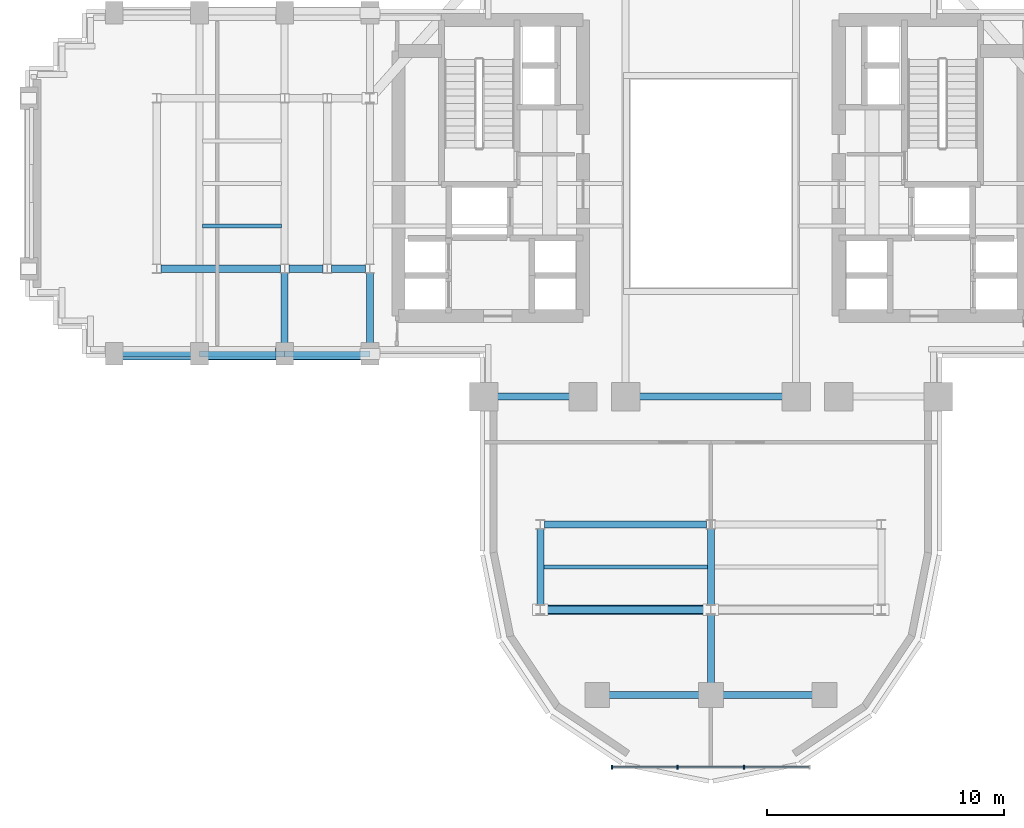
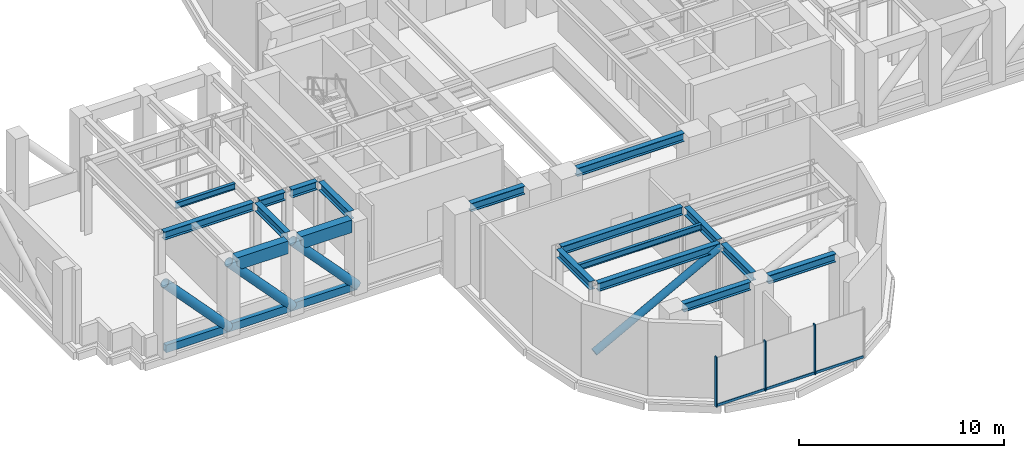
# One storey, part 3 of 15: 18 beams, 13 members, 1 element without a shape of its own.
"""IFC4 building model written with IfcOpenShell, lengths in metres."""

from ifc_helpers import new_model, si_unit, direction, frame, origin, origin_2d, place, context, subcontext, project, spatial, rectangle, hollow_rectangle, hollow_circle, i_section, extrude, source, transform, mapped, material, material_profile, profile_set, type_object, element, aggregate, save


model = new_model("IFC4")

# Units and contexts
model_context = context("Model", 3, precision=1e-05, world=origin(), true_north=direction((0.0, 1.0)))
body_context = subcontext(model_context, "Body", "Model", "MODEL_VIEW")
ifc_project = project(units=[si_unit("LENGTHUNIT", "METRE"), si_unit("AREAUNIT", "SQUARE_METRE"), si_unit("VOLUMEUNIT", "CUBIC_METRE"), si_unit("PLANEANGLEUNIT", "RADIAN"), si_unit("MASSUNIT", "GRAM", prefix="KILO")], contexts=[model_context])

# Site, building, storey
site_placement = place(None, origin())
site = spatial("IfcSite", under=ifc_project, at=site_placement, CompositionType="ELEMENT")
building_placement = place(site_placement, origin())
building = spatial("IfcBuilding", under=site, at=building_placement, Name="Keilestroom Media Tower", CompositionType="ELEMENT")
storey_placement = place(building_placement, frame((0.0, 0.0, 88.39990234375)))
storey = spatial("IfcBuildingStorey", under=building, at=storey_placement, Name="L23", CompositionType="ELEMENT", Elevation=88.39990234375)

# Beams
ifc_material_1 = material(Name="Precast concrete C40/50", Category="concrete")
ifc_material_profile_1 = material_profile(ifc_material_1, rectangle(XDim=0.449951171875, YDim=0.75, at=origin_2d()), Name="PC 450x750")
ifc_profile_set_1 = profile_set([ifc_material_profile_1], Name="Precast concrete C40/50")
beam_type_1 = type_object("IfcBeamType", Name="Perimeter-Spandrel-Beam-PC-450x750", PredefinedType="SPANDREL", material=ifc_profile_set_1)
shared_shape_1 = source(origin(), body_context, "Body", "SweptSolid", [
    extrude(rectangle(XDim=0.449951171875, YDim=0.75, at=origin_2d()), origin(), (0.0, 0.0, 1.0), 2.89013671875),
])
for number, where, z_axis, x_axis, name in (
    (1, (-21.2451171875, -7.199951171875, 4.025146484375), (1.0, 0.0, 0.0), (0.0, 1.0, 0.0), "L23 Beam SPB-1 BM-L23-EW-012"),
    (2, (-17.64501953125, -7.199951171875, 4.025146484375), (1.0, 0.0, 0.0), (0.0, 1.0, 0.0), "L23 Beam SPB-1 BM-L23-EW-013"),
):
    element("IfcBeam", number, at=place(storey_placement, frame(where, z_axis=z_axis, x_axis=x_axis)), inside=storey, type_object=beam_type_1, Name=name, PredefinedType="SPANDREL", context=body_context, shape_type="MappedRepresentation", body=[
        mapped(shared_shape_1, transform((0.0, 0.0, 0.0), x_axis=(1.0, 0.0, 0.0), y_axis=(0.0, 1.0, 0.0), z_axis=(0.0, 0.0, 1.0), scale=1.0)),
    ])
ifc_material_2 = material(Name="Steel S355", Category="steel")
ifc_material_profile_2 = material_profile(ifc_material_2, i_section(OverallWidth=0.300048828125, OverallDepth=0.5, WebThickness=0.012451171875, FlangeThickness=0.028076171875, at=origin_2d()), Name="HEB 500")
ifc_profile_set_2 = profile_set([ifc_material_profile_2], Name="Steel S355")
beam_type_2 = type_object("IfcBeamType", Name="Primary-Structural-Girder-HEB-500", PredefinedType="BEAM", material=ifc_profile_set_2)
shared_shape_2 = source(origin(), body_context, "Body", "SweptSolid", [
    extrude(i_section(OverallWidth=0.300048828125, OverallDepth=0.5, WebThickness=0.012451171875, FlangeThickness=0.028076171875, at=origin_2d()), origin(), (0.0, 0.0, 1.0), 2.961669921875),
])
for number, where, z_axis, x_axis, name in (
    (3, (-18.0, -6.7451171875, 4.150146484375), (0.0, 1.0, 0.0), (-1.0, 0.0, 0.0), "L23 Beam BG-6 BM-L23-NS-045"),
    (4, (-14.39990234375, -6.7451171875, 4.150146484375), (0.0, 1.0, 0.0), (-1.0, 0.0, 0.0), "L23 Beam BG-6 BM-L23-NS-049"),
):
    element("IfcBeam", number, at=place(storey_placement, frame(where, z_axis=z_axis, x_axis=x_axis)), inside=storey, type_object=beam_type_2, Name=name, PredefinedType="BEAM", context=body_context, shape_type="MappedRepresentation", body=[
        mapped(shared_shape_2, transform((0.0, 0.0, 0.0), x_axis=(1.0, 0.0, 0.0), y_axis=(0.0, 1.0, 0.0), z_axis=(0.0, 0.0, 1.0), scale=1.0)),
    ])
shared_shape_3 = source(origin(), body_context, "Body", "SweptSolid", [
    extrude(i_section(OverallWidth=0.300048828125, OverallDepth=0.5, WebThickness=0.012451171875, FlangeThickness=0.028076171875, at=origin_2d()), origin(), (0.0, 0.0, 1.0), 3.23291015625),
])
for number, where, z_axis, x_axis, name in (
    (5, (-7.199951171875, -17.81640625, 4.150146484375), (0.0, 1.0, 0.0), (-1.0, 0.0, 0.0), "L23 Beam BG-6 BM-L23-NS-053"),
    (6, (0.0, -17.81640625, 4.150146484375), (0.0, 1.0, 0.0), (-1.0, 0.0, 0.0), "L23 Beam BG-6 BM-L23-NS-058"),
):
    element("IfcBeam", number, at=place(storey_placement, frame(where, z_axis=z_axis, x_axis=x_axis)), inside=storey, type_object=beam_type_2, Name=name, PredefinedType="BEAM", context=body_context, shape_type="MappedRepresentation", body=[
        mapped(shared_shape_3, transform((0.0, 0.0, 0.0), x_axis=(1.0, 0.0, 0.0), y_axis=(0.0, 1.0, 0.0), z_axis=(0.0, 0.0, 1.0), scale=1.0)),
    ])
shared_shape_4 = source(origin(), body_context, "Body", "SweptSolid", [
    extrude(i_section(OverallWidth=0.300048828125, OverallDepth=0.5, WebThickness=0.012451171875, FlangeThickness=0.028076171875, at=origin_2d()), origin(), (0.0, 0.0, 1.0), 2.911376953125),
])
beam_1_placement = place(storey_placement, frame((0.0, -21.094970703125, 4.150146484375), z_axis=(0.0, 1.0, 0.0), x_axis=(-1.0, 0.0, 0.0)))
element("IfcBeam", 7, at=beam_1_placement, inside=storey, type_object=beam_type_2, Name="L23 Beam BG-6 BM-L23-NS-057", PredefinedType="BEAM", context=body_context, shape_type="MappedRepresentation", body=[
    mapped(shared_shape_4, transform((0.0, 0.0, 0.0), x_axis=(1.0, 0.0, 0.0), y_axis=(0.0, 1.0, 0.0), z_axis=(0.0, 0.0, 1.0), scale=1.0)),
])
ifc_material_profile_3 = material_profile(ifc_material_2, i_section(OverallWidth=0.300048828125, OverallDepth=0.489990234375, WebThickness=0.011962890625, FlangeThickness=0.02294921875, at=origin_2d()), Name="HEA 500")
ifc_profile_set_3 = profile_set([ifc_material_profile_3], Name="Steel S355")
beam_type_3 = type_object("IfcBeamType", Name="Primary-Structural-Girder-HEA-500", PredefinedType="BEAM", material=ifc_profile_set_3)
shared_shape_5 = source(origin(), body_context, "Body", "SweptSolid", [
    extrude(i_section(OverallWidth=0.300048828125, OverallDepth=0.489990234375, WebThickness=0.011962890625, FlangeThickness=0.02294921875, at=origin_2d()), origin(), (0.0, 0.0, 1.0), 3.7900390625),
])
for number, where, z_axis, x_axis, name in (
    (8, (-4.294921875, -21.60009765625, 4.155029296875), (1.0, 0.0, 0.0), (0.0, 1.0, 0.0), "L23 Beam BG-10 BM-L23-EW-001"),
    (9, (0.5048828125, -21.60009765625, 4.155029296875), (1.0, 0.0, 0.0), (0.0, 1.0, 0.0), "L23 Beam BG-10 BM-L23-EW-002"),
):
    element("IfcBeam", number, at=place(storey_placement, frame(where, z_axis=z_axis, x_axis=x_axis)), inside=storey, type_object=beam_type_3, Name=name, PredefinedType="BEAM", context=body_context, shape_type="MappedRepresentation", body=[
        mapped(shared_shape_5, transform((0.0, 0.0, 0.0), x_axis=(1.0, 0.0, 0.0), y_axis=(0.0, 1.0, 0.0), z_axis=(0.0, 0.0, 1.0), scale=1.0)),
    ])
shared_shape_6 = source(origin(), body_context, "Body", "SweptSolid", [
    extrude(i_section(OverallWidth=0.300048828125, OverallDepth=0.489990234375, WebThickness=0.011962890625, FlangeThickness=0.02294921875, at=origin_2d()), origin(), (0.0, 0.0, 1.0), 6.836181640625),
])
for number, where, z_axis, x_axis, name in (
    (10, (-7.01806640625, -18.0, 4.155029296875), (1.0, 0.0, 0.0), (0.0, 1.0, 0.0), "L23 Beam BG-10 BM-L23-EW-003"),
    (11, (-7.01806640625, -14.39990234375, 4.155029296875), (1.0, 0.0, 0.0), (0.0, 1.0, 0.0), "L23 Beam BG-10 BM-L23-EW-005"),
):
    element("IfcBeam", number, at=place(storey_placement, frame(where, z_axis=z_axis, x_axis=x_axis)), inside=storey, type_object=beam_type_3, Name=name, PredefinedType="BEAM", context=body_context, shape_type="MappedRepresentation", body=[
        mapped(shared_shape_6, transform((0.0, 0.0, 0.0), x_axis=(1.0, 0.0, 0.0), y_axis=(0.0, 1.0, 0.0), z_axis=(0.0, 0.0, 1.0), scale=1.0)),
    ])
shared_shape_7 = source(origin(), body_context, "Body", "SweptSolid", [
    extrude(i_section(OverallWidth=0.300048828125, OverallDepth=0.489990234375, WebThickness=0.011962890625, FlangeThickness=0.02294921875, at=origin_2d()), origin(), (0.0, 0.0, 1.0), 3.0400390625),
])
beam_2_placement = place(storey_placement, frame((-9.02001953125, -9.0, 4.155029296875), z_axis=(1.0, 0.0, 0.0), x_axis=(0.0, 1.0, 0.0)))
element("IfcBeam", 12, at=beam_2_placement, inside=storey, type_object=beam_type_3, Name="L23 Beam BG-10 BM-L23-EW-007", PredefinedType="BEAM", context=body_context, shape_type="MappedRepresentation", body=[
    mapped(shared_shape_7, transform((0.0, 0.0, 0.0), x_axis=(1.0, 0.0, 0.0), y_axis=(0.0, 1.0, 0.0), z_axis=(0.0, 0.0, 1.0), scale=1.0)),
])
shared_shape_8 = source(origin(), body_context, "Body", "SweptSolid", [
    extrude(i_section(OverallWidth=0.300048828125, OverallDepth=0.489990234375, WebThickness=0.011962890625, FlangeThickness=0.02294921875, at=origin_2d()), origin(), (0.0, 0.0, 1.0), 6.0400390625),
])
beam_3_placement = place(storey_placement, frame((-3.02001953125, -9.0, 4.155029296875), z_axis=(1.0, 0.0, 0.0), x_axis=(0.0, 1.0, 0.0)))
element("IfcBeam", 13, at=beam_3_placement, inside=storey, type_object=beam_type_3, Name="L23 Beam BG-10 BM-L23-EW-009", PredefinedType="BEAM", context=body_context, shape_type="MappedRepresentation", body=[
    mapped(shared_shape_8, transform((0.0, 0.0, 0.0), x_axis=(1.0, 0.0, 0.0), y_axis=(0.0, 1.0, 0.0), z_axis=(0.0, 0.0, 1.0), scale=1.0)),
])
shared_shape_9 = source(origin(), body_context, "Body", "SweptSolid", [
    extrude(i_section(OverallWidth=0.300048828125, OverallDepth=0.489990234375, WebThickness=0.011962890625, FlangeThickness=0.02294921875, at=origin_2d()), origin(), (0.0, 0.0, 1.0), 5.0361328125),
])
beam_4_placement = place(storey_placement, frame((-23.218017578125, -3.60009765625, 4.155029296875), z_axis=(1.0, 0.0, 0.0), x_axis=(0.0, 1.0, 0.0)))
element("IfcBeam", 14, at=beam_4_placement, inside=storey, type_object=beam_type_3, Name="L23 Beam BG-10 BM-L23-EW-016", PredefinedType="BEAM", context=body_context, shape_type="MappedRepresentation", body=[
    mapped(shared_shape_9, transform((0.0, 0.0, 0.0), x_axis=(1.0, 0.0, 0.0), y_axis=(0.0, 1.0, 0.0), z_axis=(0.0, 0.0, 1.0), scale=1.0)),
])
shared_shape_10 = source(origin(), body_context, "Body", "SweptSolid", [
    extrude(i_section(OverallWidth=0.300048828125, OverallDepth=0.489990234375, WebThickness=0.011962890625, FlangeThickness=0.02294921875, at=origin_2d()), origin(), (0.0, 0.0, 1.0), 1.43603515625),
])
for number, where, z_axis, x_axis, name in (
    (15, (-17.818115234375, -3.60009765625, 4.155029296875), (1.0, 0.0, 0.0), (0.0, 1.0, 0.0), "L23 Beam BG-10 BM-L23-EW-017"),
    (16, (-16.01806640625, -3.60009765625, 4.155029296875), (1.0, 0.0, 0.0), (0.0, 1.0, 0.0), "L23 Beam BG-10 BM-L23-EW-018"),
):
    element("IfcBeam", number, at=place(storey_placement, frame(where, z_axis=z_axis, x_axis=x_axis)), inside=storey, type_object=beam_type_3, Name=name, PredefinedType="BEAM", context=body_context, shape_type="MappedRepresentation", body=[
        mapped(shared_shape_10, transform((0.0, 0.0, 0.0), x_axis=(1.0, 0.0, 0.0), y_axis=(0.0, 1.0, 0.0), z_axis=(0.0, 0.0, 1.0), scale=1.0)),
    ])
ifc_material_profile_4 = material_profile(ifc_material_2, i_section(OverallWidth=0.169921875, OverallDepth=0.360107421875, WebThickness=0.008056640625, FlangeThickness=0.0126953125, at=origin_2d()), Name="IPE 360")
ifc_profile_set_4 = profile_set([ifc_material_profile_4], Name="Steel S355")
beam_type_4 = type_object("IfcBeamType", Name="Secondary-Floor-Joist-IPE-360", PredefinedType="JOIST", material=ifc_profile_set_4)
shared_shape_11 = source(origin(), body_context, "Body", "SweptSolid", [
    extrude(i_section(OverallWidth=0.169921875, OverallDepth=0.360107421875, WebThickness=0.008056640625, FlangeThickness=0.0126953125, at=origin_2d()), origin(), (0.0, 0.0, 1.0), 6.940185546875),
])
beam_5_placement = place(storey_placement, frame((-7.070068359375, -16.199951171875, 4.22021484375), z_axis=(1.0, 0.0, 0.0), x_axis=(0.0, 1.0, 0.0)))
element("IfcBeam", 17, at=beam_5_placement, inside=storey, type_object=beam_type_4, Name="L23 Beam BJ-5 JST-L23-075", PredefinedType="JOIST", context=body_context, shape_type="MappedRepresentation", body=[
    mapped(shared_shape_11, transform((0.0, 0.0, 0.0), x_axis=(1.0, 0.0, 0.0), y_axis=(0.0, 1.0, 0.0), z_axis=(0.0, 0.0, 1.0), scale=1.0)),
])
shared_shape_12 = source(origin(), body_context, "Body", "SweptSolid", [
    extrude(i_section(OverallWidth=0.169921875, OverallDepth=0.360107421875, WebThickness=0.008056640625, FlangeThickness=0.0126953125, at=origin_2d()), origin(), (0.0, 0.0, 1.0), 3.340087890625),
])
beam_6_placement = place(storey_placement, frame((-21.469970703125, -1.800048828125, 4.22021484375), z_axis=(1.0, 0.0, 0.0), x_axis=(0.0, 1.0, 0.0)))
element("IfcBeam", 18, at=beam_6_placement, inside=storey, type_object=beam_type_4, Name="L23 Beam BJ-5 JST-L23-077", PredefinedType="JOIST", context=body_context, shape_type="MappedRepresentation", body=[
    mapped(shared_shape_12, transform((0.0, 0.0, 0.0), x_axis=(1.0, 0.0, 0.0), y_axis=(0.0, 1.0, 0.0), z_axis=(0.0, 0.0, 1.0), scale=1.0)),
])

# Members
ifc_material_3 = material(Name="Steel S460", Category="steel")
ifc_material_profile_5 = material_profile(ifc_material_3, hollow_rectangle(XDim=0.25, YDim=0.449951171875, WallThickness=0.01611328125, at=origin_2d()), Name="RHS 450x250x16")
ifc_profile_set_5 = profile_set([ifc_material_profile_5], Name="Steel S460")
member_type_1 = type_object("IfcMemberType", Name="Transfer-And-Belt-Truss-Chord-RHS-450x250x16", PredefinedType="CHORD", material=ifc_profile_set_5)
shared_shape_13 = source(origin(), body_context, "Body", "SweptSolid", [
    extrude(hollow_rectangle(XDim=0.25, YDim=0.449951171875, WallThickness=0.01611328125, at=origin_2d()), origin(), (0.0, 0.0, 1.0), 3.60009765625),
])
for number, where, z_axis, x_axis, name in (
    (19, (-14.39990234375, -7.199951171875, 0.280029296875), (-1.0, 0.0, 0.0), (0.0, -1.0, 0.0), "L23 Outrigger OT-L23-WS Chord 1"),
    (20, (-18.0, -7.199951171875, 0.280029296875), (-1.0, 0.0, 0.0), (0.0, -1.0, 0.0), "L23 Outrigger OT-L23-WS Chord 2"),
):
    element("IfcMember", number, at=place(storey_placement, frame(where, z_axis=z_axis, x_axis=x_axis)), inside=storey, type_object=member_type_1, Name=name, PredefinedType="CHORD", context=body_context, shape_type="MappedRepresentation", body=[
        mapped(shared_shape_13, transform((0.0, 0.0, 0.0), x_axis=(1.0, 0.0, 0.0), y_axis=(0.0, 1.0, 0.0), z_axis=(0.0, 0.0, 1.0), scale=1.0)),
    ])
ifc_material_profile_6 = material_profile(ifc_material_3, hollow_circle(Radius=0.25390625, WallThickness=0.02001953125, at=origin_2d()), Name="CHS 508x20")
ifc_profile_set_6 = profile_set([ifc_material_profile_6], Name="Steel S460")
member_type_2 = type_object("IfcMemberType", Name="Outrigger-And-Belt-Brace-CHS-508x20", PredefinedType="BRACE", material=ifc_profile_set_6)
shared_shape_14 = source(origin(), body_context, "Body", "SweptSolid", [
    extrude(hollow_circle(Radius=0.25390625, WallThickness=0.02001953125, at=origin_2d()), origin(), (0.0, 0.0, 1.0), 5.28564453125),
])
for number, where, z_axis, x_axis, name in (
    (21, (-14.39990234375, -7.199951171875, 0.280029296875), (-0.681102790765, 0.0, 0.732187809522), (0.0, -1.0, 0.0), "L23 Outrigger OT-L23-WS Brace 1"),
    (22, (-18.0, -7.199951171875, 0.280029296875), (-0.681102790765, 0.0, 0.732187809522), (0.0, -1.0, 0.0), "L23 Outrigger OT-L23-WS Brace 2"),
    (23, (-21.60009765625, -7.199951171875, 0.280029296875), (-0.681078027728, 0.0, 0.732210844051), (0.0, -1.0, 0.0), "L23 Outrigger OT-L23-WS Brace 3"),
):
    element("IfcMember", number, at=place(storey_placement, frame(where, z_axis=z_axis, x_axis=x_axis)), inside=storey, type_object=member_type_2, Name=name, PredefinedType="BRACE", context=body_context, shape_type="MappedRepresentation", body=[
        mapped(shared_shape_14, transform((0.0, 0.0, 0.0), x_axis=(1.0, 0.0, 0.0), y_axis=(0.0, 1.0, 0.0), z_axis=(0.0, 0.0, 1.0), scale=1.0)),
    ])
shared_shape_15 = source(origin(), body_context, "Body", "SweptSolid", [
    extrude(hollow_rectangle(XDim=0.25, YDim=0.449951171875, WallThickness=0.01611328125, at=origin_2d()), origin(), (0.0, 0.0, 1.0), 3.599853515625),
])
member_1_placement = place(storey_placement, frame((-21.60009765625, -7.199951171875, 0.280029296875), z_axis=(-1.0, 0.0, 0.0), x_axis=(0.0, -1.0, 0.0)))
element("IfcMember", 24, at=member_1_placement, inside=storey, type_object=member_type_1, Name="L23 Outrigger OT-L23-WS Chord 3", PredefinedType="CHORD", context=body_context, shape_type="MappedRepresentation", body=[
    mapped(shared_shape_15, transform((0.0, 0.0, 0.0), x_axis=(1.0, 0.0, 0.0), y_axis=(0.0, 1.0, 0.0), z_axis=(0.0, 0.0, 1.0), scale=1.0)),
])
ifc_material_profile_7 = material_profile(ifc_material_3, hollow_circle(Radius=0.203125, WallThickness=0.01611328125, at=origin_2d()), Name="CHS 406.4x16")
ifc_profile_set_7 = profile_set([ifc_material_profile_7], Name="Steel S460")
member_type_3 = type_object("IfcMemberType", Name="Outrigger-And-Belt-Brace-CHS-406x16", PredefinedType="BRACE", material=ifc_profile_set_7)
shared_shape_16 = source(origin(), body_context, "Body", "SweptSolid", [
    extrude(hollow_circle(Radius=0.203125, WallThickness=0.01611328125, at=origin_2d()), origin(), (0.0, 0.0, 1.0), 8.174072265625),
])
member_2_placement = place(storey_placement, frame((-7.199951171875, -18.0, 0.280029296875), z_axis=(0.880817079436, 0.0, 0.473456727246), x_axis=(0.0, 1.0, 0.0)))
element("IfcMember", 25, at=member_2_placement, inside=storey, type_object=member_type_3, Name="L23 Belt Truss Brace BS1", PredefinedType="BRACE", context=body_context, shape_type="MappedRepresentation", body=[
    mapped(shared_shape_16, transform((0.0, 0.0, 0.0), x_axis=(1.0, 0.0, 0.0), y_axis=(0.0, 1.0, 0.0), z_axis=(0.0, 0.0, 1.0), scale=1.0)),
])

# Curtain wall, members
ifc_material_4 = material(Name="Anodised Aluminium Alloy", Category="aluminium")
curtain_wall_type = type_object("IfcCurtainWallType", Name="Unitised-Curtain-Wall-CW-6", PredefinedType="NOTDEFINED", material=ifc_material_4)
curtain_wall_placement = place(storey_placement, origin())
curtain_wall = element("IfcCurtainWall", 26, at=curtain_wall_placement, inside=storey, type_object=curtain_wall_type, Name="L23 Curtain Wall CW-6 CW-L23-S", PredefinedType="NOTDEFINED")
ifc_material_profile_8 = material_profile(ifc_material_4, rectangle(XDim=0.06494140625, YDim=0.14990234375, at=origin_2d()), Name="ALU TRANSOM 65x150")
ifc_profile_set_8 = profile_set([ifc_material_profile_8], Name="Anodised Aluminium Alloy")
member_type_4 = type_object("IfcMemberType", Name="Curtain-Wall-Transom-CW-6", PredefinedType="USERDEFINED", material=ifc_profile_set_8)
shared_shape_17 = source(origin(), body_context, "Body", "SweptSolid", [
    extrude(rectangle(XDim=0.06494140625, YDim=0.14990234375, at=origin_2d()), origin(), (0.0, 0.0, 1.0), 2.70654296875),
])
member_3_placement = place(storey_placement, frame((-4.136962890625, -24.64990234375, 0.0751953125), z_axis=(1.0, 0.0, 0.0), x_axis=(0.0, 1.0, 0.0)))
member_3 = element("IfcMember", 27, at=member_3_placement, type_object=member_type_4, Name="CW-6 Transom 00.1", ObjectType="TRANSOM", PredefinedType="USERDEFINED", context=body_context, shape_type="MappedRepresentation", body=[
    mapped(shared_shape_17, transform((0.0, 0.0, 0.0), x_axis=(1.0, 0.0, 0.0), y_axis=(0.0, 1.0, 0.0), z_axis=(0.0, 0.0, 1.0), scale=1.0)),
])
member_4_placement = place(storey_placement, frame((1.430419921875, -24.64990234375, 0.0751953125), z_axis=(1.0, 0.0, 0.0), x_axis=(0.0, 1.0, 0.0)))
member_4 = element("IfcMember", 28, at=member_4_placement, type_object=member_type_4, Name="CW-6 Transom 02.1", ObjectType="TRANSOM", PredefinedType="USERDEFINED", context=body_context, shape_type="MappedRepresentation", body=[
    mapped(shared_shape_17, transform((0.0, 0.0, 0.0), x_axis=(1.0, 0.0, 0.0), y_axis=(0.0, 1.0, 0.0), z_axis=(0.0, 0.0, 1.0), scale=1.0)),
])
shared_shape_18 = source(origin(), body_context, "Body", "SweptSolid", [
    extrude(rectangle(XDim=0.06494140625, YDim=0.14990234375, at=origin_2d()), origin(), (0.0, 0.0, 1.0), 2.73876953125),
])
member_5_placement = place(storey_placement, frame((-1.369384765625, -24.64990234375, 0.0751953125), z_axis=(1.0, 0.0, 0.0), x_axis=(0.0, 1.0, 0.0)))
member_5 = element("IfcMember", 29, at=member_5_placement, type_object=member_type_4, Name="CW-6 Transom 01.1", ObjectType="TRANSOM", PredefinedType="USERDEFINED", context=body_context, shape_type="MappedRepresentation", body=[
    mapped(shared_shape_18, transform((0.0, 0.0, 0.0), x_axis=(1.0, 0.0, 0.0), y_axis=(0.0, 1.0, 0.0), z_axis=(0.0, 0.0, 1.0), scale=1.0)),
])
ifc_material_profile_9 = material_profile(ifc_material_4, rectangle(XDim=0.06494140625, YDim=0.179931640625, at=origin_2d()), Name="ALU MULLION 65x180")
ifc_profile_set_9 = profile_set([ifc_material_profile_9], Name="Anodised Aluminium Alloy")
member_type_5 = type_object("IfcMemberType", Name="Curtain-Wall-Mullion-CW-6", PredefinedType="MULLION", material=ifc_profile_set_9)
shared_shape_19 = source(origin(), body_context, "Body", "SweptSolid", [
    extrude(rectangle(XDim=0.06494140625, YDim=0.179931640625, at=origin_2d()), origin(), (0.0, 0.0, 1.0), 2.97998046875),
])
member_6_placement = place(storey_placement, frame((-4.16748046875, -24.64990234375, 0.0), z_axis=(0.0, 0.0, 1.0), x_axis=(1.0, 0.0, 0.0)))
member_6 = element("IfcMember", 30, at=member_6_placement, type_object=member_type_5, Name="CW-6 Mullion 00", PredefinedType="MULLION", context=body_context, shape_type="MappedRepresentation", body=[
    mapped(shared_shape_19, transform((0.0, 0.0, 0.0), x_axis=(1.0, 0.0, 0.0), y_axis=(0.0, 1.0, 0.0), z_axis=(0.0, 0.0, 1.0), scale=1.0)),
])
member_7_placement = place(storey_placement, frame((-1.39990234375, -24.64990234375, 0.0), z_axis=(0.0, 0.0, 1.0), x_axis=(1.0, 0.0, 0.0)))
member_7 = element("IfcMember", 31, at=member_7_placement, type_object=member_type_5, Name="CW-6 Mullion 01", PredefinedType="MULLION", context=body_context, shape_type="MappedRepresentation", body=[
    mapped(shared_shape_19, transform((0.0, 0.0, 0.0), x_axis=(1.0, 0.0, 0.0), y_axis=(0.0, 1.0, 0.0), z_axis=(0.0, 0.0, 1.0), scale=1.0)),
])
member_8_placement = place(storey_placement, frame((1.39990234375, -24.64990234375, 0.0), z_axis=(0.0, 0.0, 1.0), x_axis=(1.0, 0.0, 0.0)))
member_8 = element("IfcMember", 32, at=member_8_placement, type_object=member_type_5, Name="CW-6 Mullion 02", PredefinedType="MULLION", context=body_context, shape_type="MappedRepresentation", body=[
    mapped(shared_shape_19, transform((0.0, 0.0, 0.0), x_axis=(1.0, 0.0, 0.0), y_axis=(0.0, 1.0, 0.0), z_axis=(0.0, 0.0, 1.0), scale=1.0)),
])
aggregate(curtain_wall, [member_6, member_7, member_8, member_3, member_5, member_4])

save(model, "model.ifc")
